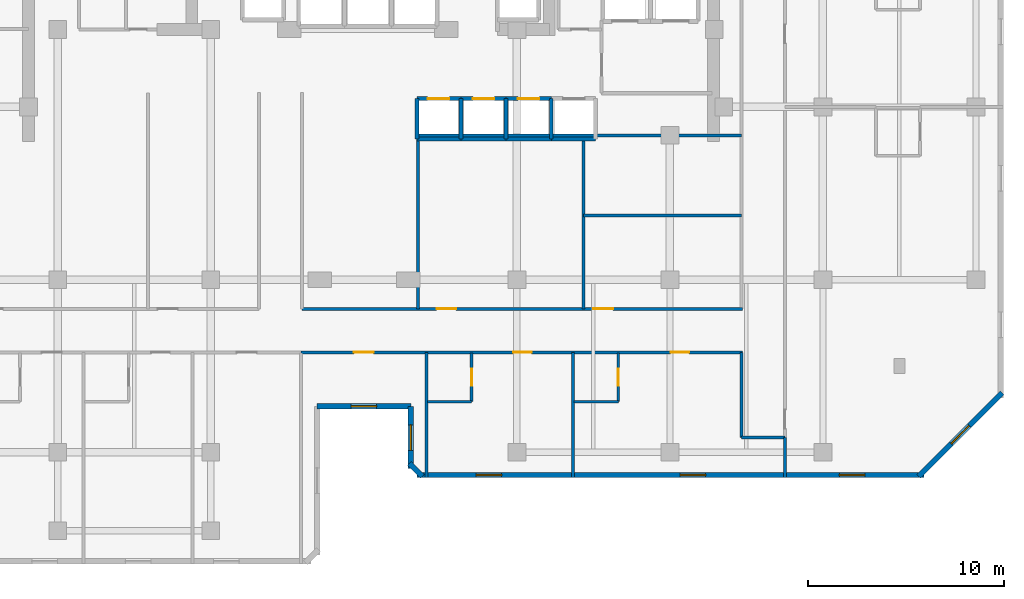
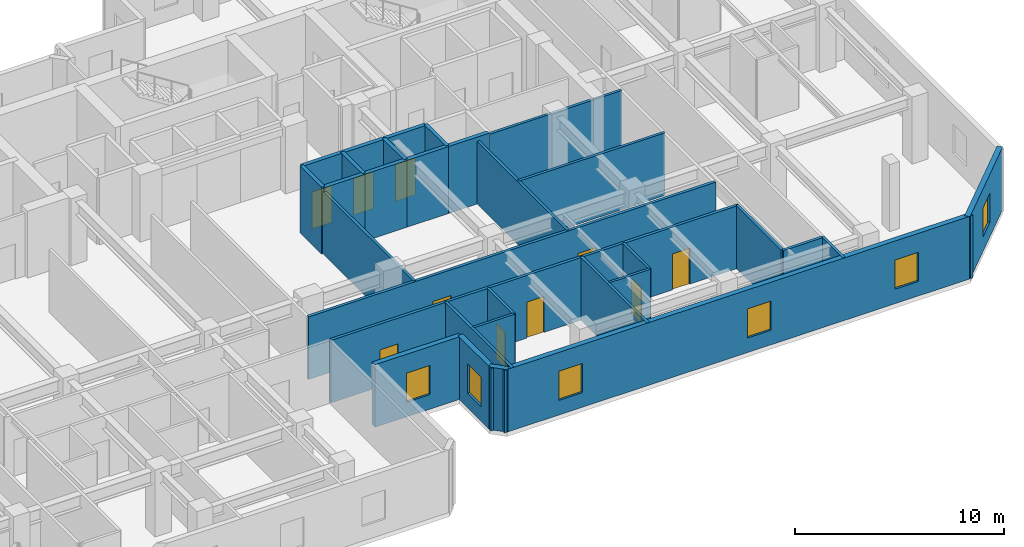
# One storey, part 6 of 10: 31 walls, 10 doors, 6 windows, 16 openings.
"""IFC4 building model written with IfcOpenShell, lengths in metres."""

from ifc_helpers import new_model, si_unit, direction, frame, frame_2d, origin, place, context, subcontext, project, spatial, rectangle, extrude, material, layer, layer_set, type_object, element, fill, save


model = new_model("IFC4")

# Units and contexts
model_context = context("Model", 3, precision=1e-05, world=origin(), true_north=direction((0.0, 1.0)))
body_context = subcontext(model_context, "Body", "Model", "MODEL_VIEW")
ifc_project = project(units=[si_unit("LENGTHUNIT", "METRE"), si_unit("AREAUNIT", "SQUARE_METRE"), si_unit("VOLUMEUNIT", "CUBIC_METRE"), si_unit("PLANEANGLEUNIT", "RADIAN"), si_unit("MASSUNIT", "GRAM", prefix="KILO")], contexts=[model_context])

# Site, building, storey
site_placement = place(None, origin())
site = spatial("IfcSite", under=ifc_project, at=site_placement, CompositionType="ELEMENT")
building_placement = place(site_placement, origin())
building = spatial("IfcBuilding", under=site, at=building_placement, Name="Kestravale Grand Hotel", CompositionType="ELEMENT")
storey_placement = place(building_placement, frame((0.0, 0.0, 216.300048828125)))
storey = spatial("IfcBuildingStorey", under=building, at=storey_placement, Name="L54", CompositionType="ELEMENT", Elevation=216.300048828125)

# Wall, opening, window
ifc_material_1 = material(Name="Precast concrete f'c 45 MPa", Category="concrete")
ifc_layer_1 = layer(ifc_material_1, 0.280029296875)
ifc_layer_set_1 = layer_set([ifc_layer_1], Name="EW-PREC-280")
wall_type_1 = type_object("IfcWallType", Name="EW-PREC-280", PredefinedType="SOLIDWALL", material=ifc_layer_set_1)
wall_1_placement = place(storey_placement, frame((36.610107421875, 13.5400390625, 0.0), z_axis=(0.0, 0.0, 1.0), x_axis=(1.0, 0.0, 0.0)))
wall_1 = element("IfcWall", 1, at=wall_1_placement, inside=storey, type_object=wall_type_1, Name="L54 fluted precast facade wall 4", PredefinedType="SOLIDWALL", context=body_context, shape_type="SweptSolid", body=[
    extrude(rectangle(XDim=4.77978515625, YDim=0.280029296875, at=frame_2d((2.389892578125, 0.0))), origin(), (0.0, 0.0, 1.0), 3.64990234375),
])
opening_1_placement = place(wall_1_placement, frame((1.739990234375, 0.0, 0.85009765625)))
opening_1 = element("IfcOpeningElement", 2, at=opening_1_placement, cuts=wall_1, Name="Opening W-GUEST-1300", PredefinedType="OPENING", context=body_context, shape_type="SweptSolid", body=[
    extrude(rectangle(XDim=1.300048828125, YDim=1.699951171875, at=frame_2d((0.64990234375, 0.85009765625))), frame((0.0, 0.14990234375, 0.0), z_axis=(0.0, -1.0, 0.0), x_axis=(1.0, 0.0, 0.0)), (0.0, 0.0, 1.0), 0.300048828125),
])
ifc_material_2 = material(Name="Insulated low-E double glazing in aluminium frame", Category="aluminium")
window_type = type_object("IfcWindowType", Name="W-GUEST-1300", PartitioningType="SINGLE_PANEL", PredefinedType="WINDOW", material=ifc_material_2)
window_1_placement = place(opening_1_placement, origin())
window_1 = element("IfcWindow", 3, at=window_1_placement, inside=storey, type_object=window_type, Name="L54 exterior window 4.1", OverallHeight=1.699951171875, OverallWidth=1.300048828125, PartitioningType="SINGLE_PANEL", PredefinedType="WINDOW", context=body_context, shape_type="SweptSolid", body=[
    extrude(rectangle(XDim=1.300048828125, YDim=1.699951171875, at=frame_2d((0.64990234375, 0.85009765625))), frame((0.0, 0.030029296875, 0.0), z_axis=(0.0, -1.0, 0.0), x_axis=(1.0, 0.0, 0.0)), (0.0, 0.0, 1.0), 0.06005859375),
])
fill(opening_1, window_1)

wall_2_placement = place(storey_placement, frame((41.389892578125, 13.5400390625, 0.0), z_axis=(0.0, 0.0, 1.0), x_axis=(0.0, -1.0, 0.0)))
wall_2 = element("IfcWall", 4, at=wall_2_placement, inside=storey, type_object=wall_type_1, Name="L54 fluted precast facade wall 5", PredefinedType="SOLIDWALL", context=body_context, shape_type="SweptSolid", body=[
    extrude(rectangle(XDim=3.179931640625, YDim=0.280029296875, at=frame_2d((1.58984375, 0.0))), origin(), (0.0, 0.0, 1.0), 3.64990234375),
])
opening_2_placement = place(wall_2_placement, frame((0.93994140625, 0.0, 0.85009765625)))
opening_2 = element("IfcOpeningElement", 5, at=opening_2_placement, cuts=wall_2, Name="Opening W-GUEST-1300", PredefinedType="OPENING", context=body_context, shape_type="SweptSolid", body=[
    extrude(rectangle(XDim=1.300048828125, YDim=1.699951171875, at=frame_2d((0.64990234375, 0.85009765625))), frame((0.0, 0.14990234375, 0.0), z_axis=(0.0, -1.0, 0.0), x_axis=(1.0, 0.0, 0.0)), (0.0, 0.0, 1.0), 0.300048828125),
])
window_2_placement = place(opening_2_placement, origin())
window_2 = element("IfcWindow", 6, at=window_2_placement, inside=storey, type_object=window_type, Name="L54 exterior window 5.1", OverallHeight=1.699951171875, OverallWidth=1.300048828125, PartitioningType="SINGLE_PANEL", PredefinedType="WINDOW", context=body_context, shape_type="SweptSolid", body=[
    extrude(rectangle(XDim=1.300048828125, YDim=1.699951171875, at=frame_2d((0.64990234375, 0.85009765625))), frame((0.0, 0.030029296875, 0.0), z_axis=(0.0, -1.0, 0.0), x_axis=(1.0, 0.0, 0.0)), (0.0, 0.0, 1.0), 0.06005859375),
])
fill(opening_2, window_2)

# Wall
wall_3_placement = place(storey_placement, frame((41.32080078125, 10.627197265625, 0.0), z_axis=(0.0, 0.0, 1.0), x_axis=(0.707106781187, -0.707106781187, 0.0)))
element("IfcWall", 7, at=wall_3_placement, inside=storey, type_object=wall_type_1, Name="L54 fluted precast facade wall 6", PredefinedType="SOLIDWALL", context=body_context, shape_type="SweptSolid", body=[
    extrude(rectangle(XDim=0.928466796875, YDim=0.280029296875, at=frame_2d((0.46435546875, 0.0))), origin(), (0.0, 0.0, 1.0), 3.64990234375),
])

# Wall, openings, windows
wall_4_placement = place(storey_placement, frame((41.7099609375, 10.0400390625, 0.0), z_axis=(0.0, 0.0, 1.0), x_axis=(1.0, 0.0, 0.0)))
wall_4 = element("IfcWall", 8, at=wall_4_placement, inside=storey, type_object=wall_type_1, Name="L54 fluted precast facade wall 7", PredefinedType="SOLIDWALL", context=body_context, shape_type="SweptSolid", body=[
    extrude(rectangle(XDim=25.830078125, YDim=0.280029296875, at=frame_2d((12.9150390625, 0.0))), origin(), (0.0, 0.0, 1.0), 3.64990234375),
])
opening_3_placement = place(wall_4_placement, frame((3.0048828125, 0.0, 0.85009765625)))
opening_3 = element("IfcOpeningElement", 9, at=opening_3_placement, cuts=wall_4, Name="Opening W-GUEST-1300", PredefinedType="OPENING", context=body_context, shape_type="SweptSolid", body=[
    extrude(rectangle(XDim=1.300048828125, YDim=1.699951171875, at=frame_2d((0.64990234375, 0.85009765625))), frame((0.0, 0.14990234375, 0.0), z_axis=(0.0, -1.0, 0.0), x_axis=(1.0, 0.0, 0.0)), (0.0, 0.0, 1.0), 0.300048828125),
])
opening_4_placement = place(wall_4_placement, frame((13.4150390625, 0.0, 0.85009765625)))
opening_4 = element("IfcOpeningElement", 10, at=opening_4_placement, cuts=wall_4, Name="Opening W-GUEST-1300", PredefinedType="OPENING", context=body_context, shape_type="SweptSolid", body=[
    extrude(rectangle(XDim=1.300048828125, YDim=1.699951171875, at=frame_2d((0.64990234375, 0.85009765625))), frame((0.0, 0.14990234375, 0.0), z_axis=(0.0, -1.0, 0.0), x_axis=(1.0, 0.0, 0.0)), (0.0, 0.0, 1.0), 0.300048828125),
])
opening_5_placement = place(wall_4_placement, frame((21.52490234375, 0.0, 0.85009765625)))
opening_5 = element("IfcOpeningElement", 11, at=opening_5_placement, cuts=wall_4, Name="Opening W-GUEST-1300", PredefinedType="OPENING", context=body_context, shape_type="SweptSolid", body=[
    extrude(rectangle(XDim=1.300048828125, YDim=1.699951171875, at=frame_2d((0.64990234375, 0.85009765625))), frame((0.0, 0.14990234375, 0.0), z_axis=(0.0, -1.0, 0.0), x_axis=(1.0, 0.0, 0.0)), (0.0, 0.0, 1.0), 0.300048828125),
])
window_3_placement = place(opening_3_placement, origin())
window_3 = element("IfcWindow", 12, at=window_3_placement, inside=storey, type_object=window_type, Name="L54 exterior window 7.1", OverallHeight=1.699951171875, OverallWidth=1.300048828125, PartitioningType="SINGLE_PANEL", PredefinedType="WINDOW", context=body_context, shape_type="SweptSolid", body=[
    extrude(rectangle(XDim=1.300048828125, YDim=1.699951171875, at=frame_2d((0.64990234375, 0.85009765625))), frame((0.0, 0.030029296875, 0.0), z_axis=(0.0, -1.0, 0.0), x_axis=(1.0, 0.0, 0.0)), (0.0, 0.0, 1.0), 0.06005859375),
])
fill(opening_3, window_3)
window_4_placement = place(opening_4_placement, origin())
window_4 = element("IfcWindow", 13, at=window_4_placement, inside=storey, type_object=window_type, Name="L54 exterior window 7.2", OverallHeight=1.699951171875, OverallWidth=1.300048828125, PartitioningType="SINGLE_PANEL", PredefinedType="WINDOW", context=body_context, shape_type="SweptSolid", body=[
    extrude(rectangle(XDim=1.300048828125, YDim=1.699951171875, at=frame_2d((0.64990234375, 0.85009765625))), frame((0.0, 0.030029296875, 0.0), z_axis=(0.0, -1.0, 0.0), x_axis=(1.0, 0.0, 0.0)), (0.0, 0.0, 1.0), 0.06005859375),
])
fill(opening_4, window_4)
window_5_placement = place(opening_5_placement, origin())
window_5 = element("IfcWindow", 14, at=window_5_placement, inside=storey, type_object=window_type, Name="L54 exterior window 7.3", OverallHeight=1.699951171875, OverallWidth=1.300048828125, PartitioningType="SINGLE_PANEL", PredefinedType="WINDOW", context=body_context, shape_type="SweptSolid", body=[
    extrude(rectangle(XDim=1.300048828125, YDim=1.699951171875, at=frame_2d((0.64990234375, 0.85009765625))), frame((0.0, 0.030029296875, 0.0), z_axis=(0.0, -1.0, 0.0), x_axis=(1.0, 0.0, 0.0)), (0.0, 0.0, 1.0), 0.06005859375),
])
fill(opening_5, window_5)

# Wall, opening, window
wall_5_placement = place(storey_placement, frame((67.272705078125, 9.970703125, 0.0), z_axis=(0.0, 0.0, 1.0), x_axis=(0.707106781187, 0.707106781187, 0.0)))
wall_5 = element("IfcWall", 15, at=wall_5_placement, inside=storey, type_object=wall_type_1, Name="L54 fluted precast facade wall 8", PredefinedType="SOLIDWALL", context=body_context, shape_type="SweptSolid", body=[
    extrude(rectangle(XDim=6.019775390625, YDim=0.280029296875, at=frame_2d((3.009765625, 0.0))), origin(), (0.0, 0.0, 1.0), 3.64990234375),
])
opening_6_placement = place(wall_5_placement, frame((2.35986328125, 0.0, 0.85009765625)))
opening_6 = element("IfcOpeningElement", 16, at=opening_6_placement, cuts=wall_5, Name="Opening W-GUEST-1300", PredefinedType="OPENING", context=body_context, shape_type="SweptSolid", body=[
    extrude(rectangle(XDim=1.300048828125, YDim=1.699951171875, at=frame_2d((0.64990234375, 0.85009765625))), frame((0.0, 0.14990234375, 0.0), z_axis=(0.0, -1.0, 0.0), x_axis=(1.0, 0.0, 0.0)), (0.0, 0.0, 1.0), 0.300048828125),
])
window_6_placement = place(opening_6_placement, origin())
window_6 = element("IfcWindow", 17, at=window_6_placement, inside=storey, type_object=window_type, Name="L54 exterior window 8.1", OverallHeight=1.699951171875, OverallWidth=1.300048828125, PartitioningType="SINGLE_PANEL", PredefinedType="WINDOW", context=body_context, shape_type="SweptSolid", body=[
    extrude(rectangle(XDim=1.300048828125, YDim=1.699951171875, at=frame_2d((0.64990234375, 0.85009765625))), frame((0.0, 0.030029296875, 0.0), z_axis=(0.0, -1.0, 0.0), x_axis=(1.0, 0.0, 0.0)), (0.0, 0.0, 1.0), 0.06005859375),
])
fill(opening_6, window_6)

# Wall, openings, doors
ifc_material_3 = material(Name="Acoustic fire-rated gypsum board partition", Category="other")
ifc_layer_2 = layer(ifc_material_3, 0.159912109375)
ifc_layer_set_2 = layer_set([ifc_layer_2], Name="IW-CORR-160")
wall_type_2 = type_object("IfcWallType", Name="IW-CORR-160", PredefinedType="PARTITIONING", material=ifc_layer_set_2)
wall_6_placement = place(storey_placement, frame((35.85009765625, 18.510009765625, 0.0), z_axis=(0.0, 0.0, 1.0), x_axis=(1.0, 0.0, 0.0)))
wall_6 = element("IfcWall", 18, at=wall_6_placement, inside=storey, type_object=wall_type_2, Name="W-L54-CE-N", PredefinedType="PARTITIONING", context=body_context, shape_type="SweptSolid", body=[
    extrude(rectangle(XDim=22.449951171875, YDim=0.159912109375, at=frame_2d((11.22509765625, 0.0))), origin(), (0.0, 0.0, 1.0), 3.64990234375),
])
opening_7_placement = place(wall_6_placement, frame((6.85009765625, 0.0, 0.0)))
opening_7 = element("IfcOpeningElement", 19, at=opening_7_placement, cuts=wall_6, Name="Opening D-GUEST-1000", PredefinedType="OPENING", context=body_context, shape_type="SweptSolid", body=[
    extrude(rectangle(XDim=1.0, YDim=2.14990234375, at=frame_2d((0.5, 1.074951171875))), frame((0.0, 0.08984375, 0.0), z_axis=(0.0, -1.0, 0.0), x_axis=(1.0, 0.0, 0.0)), (0.0, 0.0, 1.0), 0.179931640625),
])
opening_8_placement = place(wall_6_placement, frame((14.85009765625, 0.0, 0.0)))
opening_8 = element("IfcOpeningElement", 20, at=opening_8_placement, cuts=wall_6, Name="Opening D-GUEST-1000", PredefinedType="OPENING", context=body_context, shape_type="SweptSolid", body=[
    extrude(rectangle(XDim=1.0, YDim=2.14990234375, at=frame_2d((0.5, 1.074951171875))), frame((0.0, 0.08984375, 0.0), z_axis=(0.0, -1.0, 0.0), x_axis=(1.0, 0.0, 0.0)), (0.0, 0.0, 1.0), 0.179931640625),
])
ifc_material_4 = material(Name="Accessible walnut veneer hotel entrance fire door", Category="wood")
door_type_1 = type_object("IfcDoorType", Name="D-GUEST-1000", OperationType="NOTDEFINED", PredefinedType="DOOR", material=ifc_material_4)
door_1_placement = place(opening_7_placement, origin())
door_1 = element("IfcDoor", 21, at=door_1_placement, inside=storey, type_object=door_type_1, Name="D-L54-RECL-E1", OperationType="SINGLE_SWING_LEFT", OverallHeight=2.14990234375, OverallWidth=1.0, PredefinedType="DOOR", context=body_context, shape_type="SweptSolid", body=[
    extrude(rectangle(XDim=1.0, YDim=2.14990234375, at=frame_2d((0.5, 1.074951171875))), frame((0.0, 0.02490234375, 0.0), z_axis=(0.0, -1.0, 0.0), x_axis=(1.0, 0.0, 0.0)), (0.0, 0.0, 1.0), 0.050048828125),
])
fill(opening_7, door_1)
door_2_placement = place(opening_8_placement, origin())
door_2 = element("IfcDoor", 22, at=door_2_placement, inside=storey, type_object=door_type_1, Name="D-L54-RECL-E2", OperationType="SINGLE_SWING_RIGHT", OverallHeight=2.14990234375, OverallWidth=1.0, PredefinedType="DOOR", context=body_context, shape_type="SweptSolid", body=[
    extrude(rectangle(XDim=1.0, YDim=2.14990234375, at=frame_2d((0.5, 1.074951171875))), frame((0.0, 0.02490234375, 0.0), z_axis=(0.0, -1.0, 0.0), x_axis=(1.0, 0.0, 0.0)), (0.0, 0.0, 1.0), 0.050048828125),
])
fill(opening_8, door_2)

wall_7_placement = place(storey_placement, frame((35.800048828125, 16.2900390625, 0.0), z_axis=(0.0, 0.0, 1.0), x_axis=(1.0, 0.0, 0.0)))
wall_7 = element("IfcWall", 23, at=wall_7_placement, inside=storey, type_object=wall_type_2, Name="W-L54-CE-S", PredefinedType="PARTITIONING", context=body_context, shape_type="SweptSolid", body=[
    extrude(rectangle(XDim=22.5, YDim=0.159912109375, at=frame_2d((11.25, 0.0))), origin(), (0.0, 0.0, 1.0), 3.64990234375),
])
opening_9_placement = place(wall_7_placement, frame((2.68994140625, 0.0, 0.0)))
opening_9 = element("IfcOpeningElement", 24, at=opening_9_placement, cuts=wall_7, Name="Opening D-GUEST-1000", PredefinedType="OPENING", context=body_context, shape_type="SweptSolid", body=[
    extrude(rectangle(XDim=1.0, YDim=2.14990234375, at=frame_2d((0.5, 1.074951171875))), frame((0.0, 0.08984375, 0.0), z_axis=(0.0, -1.0, 0.0), x_axis=(1.0, 0.0, 0.0)), (0.0, 0.0, 1.0), 0.179931640625),
])
opening_10_placement = place(wall_7_placement, frame((10.800048828125, 0.0, 0.0)))
opening_10 = element("IfcOpeningElement", 25, at=opening_10_placement, cuts=wall_7, Name="Opening D-GUEST-950", PredefinedType="OPENING", context=body_context, shape_type="SweptSolid", body=[
    extrude(rectangle(XDim=0.949951171875, YDim=2.10009765625, at=frame_2d((0.47509765625, 1.050048828125))), frame((0.0, 0.08984375, 0.0), z_axis=(0.0, -1.0, 0.0), x_axis=(1.0, 0.0, 0.0)), (0.0, 0.0, 1.0), 0.179931640625),
])
opening_11_placement = place(wall_7_placement, frame((18.830078125, 0.0, 0.0)))
opening_11 = element("IfcOpeningElement", 26, at=opening_11_placement, cuts=wall_7, Name="Opening D-GUEST-950", PredefinedType="OPENING", context=body_context, shape_type="SweptSolid", body=[
    extrude(rectangle(XDim=0.949951171875, YDim=2.10009765625, at=frame_2d((0.47509765625, 1.050048828125))), frame((0.0, 0.08984375, 0.0), z_axis=(0.0, -1.0, 0.0), x_axis=(1.0, 0.0, 0.0)), (0.0, 0.0, 1.0), 0.179931640625),
])
door_3_placement = place(opening_9_placement, origin())
door_3 = element("IfcDoor", 27, at=door_3_placement, inside=storey, type_object=door_type_1, Name="D-L54-AME", OperationType="SINGLE_SWING_RIGHT", OverallHeight=2.14990234375, OverallWidth=1.0, PredefinedType="DOOR", context=body_context, shape_type="SweptSolid", body=[
    extrude(rectangle(XDim=1.0, YDim=2.14990234375, at=frame_2d((0.5, 1.074951171875))), frame((0.0, 0.02490234375, 0.0), z_axis=(0.0, -1.0, 0.0), x_axis=(1.0, 0.0, 0.0)), (0.0, 0.0, 1.0), 0.050048828125),
])
fill(opening_9, door_3)
ifc_material_5 = material(Name="Walnut veneer hotel guestroom entrance fire door", Category="wood")
door_type_2 = type_object("IfcDoorType", Name="D-GUEST-950", OperationType="NOTDEFINED", PredefinedType="DOOR", material=ifc_material_5)
door_4_placement = place(opening_10_placement, origin())
door_4 = element("IfcDoor", 28, at=door_4_placement, inside=storey, type_object=door_type_2, Name="D-L54-U03-ENT", OperationType="SINGLE_SWING_RIGHT", OverallHeight=2.10009765625, OverallWidth=0.949951171875, PredefinedType="DOOR", context=body_context, shape_type="SweptSolid", body=[
    extrude(rectangle(XDim=0.949951171875, YDim=2.10009765625, at=frame_2d((0.47509765625, 1.050048828125))), frame((0.0, 0.02490234375, 0.0), z_axis=(0.0, -1.0, 0.0), x_axis=(1.0, 0.0, 0.0)), (0.0, 0.0, 1.0), 0.050048828125),
])
fill(opening_10, door_4)
door_5_placement = place(opening_11_placement, origin())
door_5 = element("IfcDoor", 29, at=door_5_placement, inside=storey, type_object=door_type_2, Name="D-L54-U04-ENT", OperationType="SINGLE_SWING_RIGHT", OverallHeight=2.10009765625, OverallWidth=0.949951171875, PredefinedType="DOOR", context=body_context, shape_type="SweptSolid", body=[
    extrude(rectangle(XDim=0.949951171875, YDim=2.10009765625, at=frame_2d((0.47509765625, 1.050048828125))), frame((0.0, 0.02490234375, 0.0), z_axis=(0.0, -1.0, 0.0), x_axis=(1.0, 0.0, 0.0)), (0.0, 0.0, 1.0), 0.050048828125),
])
fill(opening_11, door_5)

# Wall
wall_8_placement = place(storey_placement, frame((58.239990234375, 11.949951171875, 0.0), z_axis=(0.0, 0.0, 1.0), x_axis=(0.0, 1.0, 0.0)))
element("IfcWall", 30, at=wall_8_placement, inside=storey, type_object=wall_type_2, Name="W-L54-SE-W", PredefinedType="PARTITIONING", context=body_context, shape_type="SweptSolid", body=[
    extrude(rectangle(XDim=4.340087890625, YDim=0.159912109375, at=frame_2d((2.169921875, 0.0))), origin(), (0.0, 0.0, 1.0), 3.64990234375),
])

# Wall, opening, door
ifc_material_6 = material(Name="Moisture-resistant tile-backer plumbing chase wall", Category="other")
ifc_layer_3 = layer(ifc_material_6, 0.139892578125)
ifc_layer_set_3 = layer_set([ifc_layer_3], Name="IW-PLB-140")
wall_type_3 = type_object("IfcWallType", Name="IW-PLB-140", PredefinedType="PLUMBINGWALL", material=ifc_layer_set_3)
wall_9_placement = place(storey_placement, frame((44.489990234375, 13.780029296875, 0.0), z_axis=(0.0, 0.0, 1.0), x_axis=(0.0, 1.0, 0.0)))
wall_9 = element("IfcWall", 31, at=wall_9_placement, inside=storey, type_object=wall_type_3, Name="W-L54-U03-BE", PredefinedType="PLUMBINGWALL", context=body_context, shape_type="SweptSolid", body=[
    extrude(rectangle(XDim=2.489990234375, YDim=0.139892578125, at=frame_2d((1.2451171875, 0.0))), origin(), (0.0, 0.0, 1.0), 3.64990234375),
])
opening_12_placement = place(wall_9_placement, frame((0.804931640625, 0.0, 0.0)))
opening_12 = element("IfcOpeningElement", 32, at=opening_12_placement, cuts=wall_9, Name="Opening D-BATH-880", PredefinedType="OPENING", context=body_context, shape_type="SweptSolid", body=[
    extrude(rectangle(XDim=0.8798828125, YDim=2.050048828125, at=frame_2d((0.43994140625, 1.02490234375))), frame((0.0, 0.079833984375, 0.0), z_axis=(0.0, -1.0, 0.0), x_axis=(1.0, 0.0, 0.0)), (0.0, 0.0, 1.0), 0.159912109375),
])
ifc_material_7 = material(Name="Moisture-sealed walnut en-suite bathroom door", Category="wood")
door_type_3 = type_object("IfcDoorType", Name="D-BATH-880", OperationType="NOTDEFINED", PredefinedType="DOOR", material=ifc_material_7)
door_6_placement = place(opening_12_placement, origin())
door_6 = element("IfcDoor", 33, at=door_6_placement, inside=storey, type_object=door_type_3, Name="D-L54-U03-BATH", OperationType="SINGLE_SWING_LEFT", OverallHeight=2.050048828125, OverallWidth=0.8798828125, PredefinedType="DOOR", context=body_context, shape_type="SweptSolid", body=[
    extrude(rectangle(XDim=0.8798828125, YDim=2.050048828125, at=frame_2d((0.43994140625, 1.02490234375))), frame((0.0, 0.02490234375, 0.0), z_axis=(0.0, -1.0, 0.0), x_axis=(1.0, 0.0, 0.0)), (0.0, 0.0, 1.0), 0.050048828125),
])
fill(opening_12, door_6)

# Wall
wall_10_placement = place(storey_placement, frame((42.239990234375, 13.780029296875, 0.0), z_axis=(0.0, 0.0, 1.0), x_axis=(1.0, 0.0, 0.0)))
element("IfcWall", 34, at=wall_10_placement, inside=storey, type_object=wall_type_3, Name="W-L54-U03-BS", PredefinedType="PLUMBINGWALL", context=body_context, shape_type="SweptSolid", body=[
    extrude(rectangle(XDim=2.25, YDim=0.139892578125, at=frame_2d((1.125, 0.0))), origin(), (0.0, 0.0, 1.0), 3.64990234375),
])

# Wall, opening, door
wall_11_placement = place(storey_placement, frame((51.969970703125, 13.780029296875, 0.0), z_axis=(0.0, 0.0, 1.0), x_axis=(0.0, 1.0, 0.0)))
wall_11 = element("IfcWall", 35, at=wall_11_placement, inside=storey, type_object=wall_type_3, Name="W-L54-U04-BE", PredefinedType="PLUMBINGWALL", context=body_context, shape_type="SweptSolid", body=[
    extrude(rectangle(XDim=2.489990234375, YDim=0.139892578125, at=frame_2d((1.2451171875, 0.0))), origin(), (0.0, 0.0, 1.0), 3.64990234375),
])
opening_13_placement = place(wall_11_placement, frame((0.804931640625, 0.0, 0.0)))
opening_13 = element("IfcOpeningElement", 36, at=opening_13_placement, cuts=wall_11, Name="Opening D-BATH-880", PredefinedType="OPENING", context=body_context, shape_type="SweptSolid", body=[
    extrude(rectangle(XDim=0.8798828125, YDim=2.050048828125, at=frame_2d((0.43994140625, 1.02490234375))), frame((0.0, 0.079833984375, 0.0), z_axis=(0.0, -1.0, 0.0), x_axis=(1.0, 0.0, 0.0)), (0.0, 0.0, 1.0), 0.159912109375),
])
door_7_placement = place(opening_13_placement, origin())
door_7 = element("IfcDoor", 37, at=door_7_placement, inside=storey, type_object=door_type_3, Name="D-L54-U04-BATH", OperationType="SINGLE_SWING_LEFT", OverallHeight=2.050048828125, OverallWidth=0.8798828125, PredefinedType="DOOR", context=body_context, shape_type="SweptSolid", body=[
    extrude(rectangle(XDim=0.8798828125, YDim=2.050048828125, at=frame_2d((0.43994140625, 1.02490234375))), frame((0.0, 0.02490234375, 0.0), z_axis=(0.0, -1.0, 0.0), x_axis=(1.0, 0.0, 0.0)), (0.0, 0.0, 1.0), 0.050048828125),
])
fill(opening_13, door_7)

# Walls
wall_12_placement = place(storey_placement, frame((49.719970703125, 13.780029296875, 0.0), z_axis=(0.0, 0.0, 1.0), x_axis=(1.0, 0.0, 0.0)))
element("IfcWall", 38, at=wall_12_placement, inside=storey, type_object=wall_type_3, Name="W-L54-U04-BS", PredefinedType="PLUMBINGWALL", context=body_context, shape_type="SweptSolid", body=[
    extrude(rectangle(XDim=2.25, YDim=0.139892578125, at=frame_2d((1.125, 0.0))), origin(), (0.0, 0.0, 1.0), 3.64990234375),
])
ifc_material_8 = material(Name="Concrete f'c 45 MPa", Category="concrete")
ifc_layer_4 = layer(ifc_material_8, 0.199951171875)
ifc_layer_set_4 = layer_set([ifc_layer_4], Name="IW-SHAFT-200")
wall_type_4 = type_object("IfcWallType", Name="IW-SHAFT-200", PredefinedType="SHEAR", material=ifc_layer_set_4)
for number, where, z_axis, x_axis, name in (
    (39, (41.705078125, 27.169921875, 0.0), (0.0, 0.0, 1.0), (0.0, 1.0, 0.0), "L54 PL-M1 west shaft wall"),
    (40, (43.949951171875, 27.169921875, 0.0), (0.0, 0.0, 1.0), (0.0, 1.0, 0.0), "L54 PL-M2 west shaft wall"),
    (41, (46.25, 27.169921875, 0.0), (0.0, 0.0, 1.0), (0.0, 1.0, 0.0), "L54 PL-M3 west shaft wall"),
    (42, (48.550048828125, 27.169921875, 0.0), (0.0, 0.0, 1.0), (0.0, 1.0, 0.0), "L54 PL-M4 west shaft wall"),
):
    element("IfcWall", number, at=place(storey_placement, frame(where, z_axis=z_axis, x_axis=x_axis)), inside=storey, type_object=wall_type_4, Name=name, PredefinedType="SHEAR", context=body_context, shape_type="SweptSolid", body=[
        extrude(rectangle(XDim=2.06005859375, YDim=0.199951171875, at=frame_2d((1.030029296875, 0.0))), origin(), (0.0, 0.0, 1.0), 3.89990234375),
    ])

# Wall, opening, door
ifc_material_9 = material(Name="Concrete f'c 45 MPa", Category="concrete")
ifc_layer_5 = layer(ifc_material_9, 0.219970703125)
ifc_layer_set_5 = layer_set([ifc_layer_5], Name="IW-SHAFT-220")
wall_type_5 = type_object("IfcWallType", Name="IW-SHAFT-220", PredefinedType="SHEAR", material=ifc_layer_set_5)
wall_13_placement = place(storey_placement, frame((41.705078125, 29.22998046875, 0.0), z_axis=(0.0, 0.0, 1.0), x_axis=(1.0, 0.0, 0.0)))
wall_13 = element("IfcWall", 43, at=wall_13_placement, inside=storey, type_object=wall_type_5, Name="L54 PL-M1 north shaft wall", PredefinedType="SHEAR", context=body_context, shape_type="SweptSolid", body=[
    extrude(rectangle(XDim=2.244873046875, YDim=0.219970703125, at=frame_2d((1.12255859375, 0.0))), origin(), (0.0, 0.0, 1.0), 3.89990234375),
])
opening_14_placement = place(wall_13_placement, frame((0.544921875, 0.0, 0.0)))
opening_14 = element("IfcOpeningElement", 44, at=opening_14_placement, cuts=wall_13, Name="Opening LD-PAX-1100", PredefinedType="OPENING", context=body_context, shape_type="SweptSolid", body=[
    extrude(rectangle(XDim=1.10009765625, YDim=2.14990234375, at=frame_2d((0.550048828125, 1.074951171875))), frame((0.0, 0.119873046875, 0.0), z_axis=(0.0, -1.0, 0.0), x_axis=(1.0, 0.0, 0.0)), (0.0, 0.0, 1.0), 0.239990234375),
])
ifc_material_10 = material(Name="Champagne-bronze center-opening sliding elevator landing door", Category="steel")
door_type_4 = type_object("IfcDoorType", Name="LD-PAX-1100", OperationType="NOTDEFINED", PredefinedType="DOOR", material=ifc_material_10)
door_8_placement = place(opening_14_placement, origin())
door_8 = element("IfcDoor", 45, at=door_8_placement, inside=storey, type_object=door_type_4, Name="L54 PL-M1 elevator landing sliding door", OperationType="DOUBLE_DOOR_SLIDING", OverallHeight=2.14990234375, OverallWidth=1.10009765625, PredefinedType="DOOR", context=body_context, shape_type="SweptSolid", body=[
    extrude(rectangle(XDim=1.10009765625, YDim=2.14990234375, at=frame_2d((0.550048828125, 1.074951171875))), frame((0.0, 0.02490234375, 0.0), z_axis=(0.0, -1.0, 0.0), x_axis=(1.0, 0.0, 0.0)), (0.0, 0.0, 1.0), 0.050048828125),
])
fill(opening_14, door_8)

# Wall
wall_14_placement = place(storey_placement, frame((41.705078125, 27.169921875, 0.0), z_axis=(0.0, 0.0, 1.0), x_axis=(1.0, 0.0, 0.0)))
element("IfcWall", 46, at=wall_14_placement, inside=storey, type_object=wall_type_5, Name="L54 PL-M1 south shaft wall", PredefinedType="SHEAR", context=body_context, shape_type="SweptSolid", body=[
    extrude(rectangle(XDim=2.244873046875, YDim=0.219970703125, at=frame_2d((1.12255859375, 0.0))), origin(), (0.0, 0.0, 1.0), 3.89990234375),
])

# Wall, opening, door
wall_15_placement = place(storey_placement, frame((43.949951171875, 29.22998046875, 0.0), z_axis=(0.0, 0.0, 1.0), x_axis=(1.0, 0.0, 0.0)))
wall_15 = element("IfcWall", 47, at=wall_15_placement, inside=storey, type_object=wall_type_5, Name="L54 PL-M2 north shaft wall", PredefinedType="SHEAR", context=body_context, shape_type="SweptSolid", body=[
    extrude(rectangle(XDim=2.300048828125, YDim=0.219970703125, at=frame_2d((1.14990234375, 0.0))), origin(), (0.0, 0.0, 1.0), 3.89990234375),
])
opening_15_placement = place(wall_15_placement, frame((0.60009765625, 0.0, 0.0)))
opening_15 = element("IfcOpeningElement", 48, at=opening_15_placement, cuts=wall_15, Name="Opening LD-PAX-1100", PredefinedType="OPENING", context=body_context, shape_type="SweptSolid", body=[
    extrude(rectangle(XDim=1.10009765625, YDim=2.14990234375, at=frame_2d((0.550048828125, 1.074951171875))), frame((0.0, 0.119873046875, 0.0), z_axis=(0.0, -1.0, 0.0), x_axis=(1.0, 0.0, 0.0)), (0.0, 0.0, 1.0), 0.239990234375),
])
door_9_placement = place(opening_15_placement, origin())
door_9 = element("IfcDoor", 49, at=door_9_placement, inside=storey, type_object=door_type_4, Name="L54 PL-M2 elevator landing sliding door", OperationType="DOUBLE_DOOR_SLIDING", OverallHeight=2.14990234375, OverallWidth=1.10009765625, PredefinedType="DOOR", context=body_context, shape_type="SweptSolid", body=[
    extrude(rectangle(XDim=1.10009765625, YDim=2.14990234375, at=frame_2d((0.550048828125, 1.074951171875))), frame((0.0, 0.02490234375, 0.0), z_axis=(0.0, -1.0, 0.0), x_axis=(1.0, 0.0, 0.0)), (0.0, 0.0, 1.0), 0.050048828125),
])
fill(opening_15, door_9)

# Wall
wall_16_placement = place(storey_placement, frame((43.949951171875, 27.169921875, 0.0), z_axis=(0.0, 0.0, 1.0), x_axis=(1.0, 0.0, 0.0)))
element("IfcWall", 50, at=wall_16_placement, inside=storey, type_object=wall_type_5, Name="L54 PL-M2 south shaft wall", PredefinedType="SHEAR", context=body_context, shape_type="SweptSolid", body=[
    extrude(rectangle(XDim=2.300048828125, YDim=0.219970703125, at=frame_2d((1.14990234375, 0.0))), origin(), (0.0, 0.0, 1.0), 3.89990234375),
])

# Wall, opening, door
wall_17_placement = place(storey_placement, frame((46.25, 29.22998046875, 0.0), z_axis=(0.0, 0.0, 1.0), x_axis=(1.0, 0.0, 0.0)))
wall_17 = element("IfcWall", 51, at=wall_17_placement, inside=storey, type_object=wall_type_5, Name="L54 PL-M3 north shaft wall", PredefinedType="SHEAR", context=body_context, shape_type="SweptSolid", body=[
    extrude(rectangle(XDim=2.300048828125, YDim=0.219970703125, at=frame_2d((1.14990234375, 0.0))), origin(), (0.0, 0.0, 1.0), 3.89990234375),
])
opening_16_placement = place(wall_17_placement, frame((0.60009765625, 0.0, 0.0)))
opening_16 = element("IfcOpeningElement", 52, at=opening_16_placement, cuts=wall_17, Name="Opening LD-PAX-1100", PredefinedType="OPENING", context=body_context, shape_type="SweptSolid", body=[
    extrude(rectangle(XDim=1.10009765625, YDim=2.14990234375, at=frame_2d((0.550048828125, 1.074951171875))), frame((0.0, 0.119873046875, 0.0), z_axis=(0.0, -1.0, 0.0), x_axis=(1.0, 0.0, 0.0)), (0.0, 0.0, 1.0), 0.239990234375),
])
door_10_placement = place(opening_16_placement, origin())
door_10 = element("IfcDoor", 53, at=door_10_placement, inside=storey, type_object=door_type_4, Name="L54 PL-M3 elevator landing sliding door", OperationType="DOUBLE_DOOR_SLIDING", OverallHeight=2.14990234375, OverallWidth=1.10009765625, PredefinedType="DOOR", context=body_context, shape_type="SweptSolid", body=[
    extrude(rectangle(XDim=1.10009765625, YDim=2.14990234375, at=frame_2d((0.550048828125, 1.074951171875))), frame((0.0, 0.02490234375, 0.0), z_axis=(0.0, -1.0, 0.0), x_axis=(1.0, 0.0, 0.0)), (0.0, 0.0, 1.0), 0.050048828125),
])
fill(opening_16, door_10)

# Walls
wall_18_placement = place(storey_placement, frame((46.25, 27.169921875, 0.0), z_axis=(0.0, 0.0, 1.0), x_axis=(1.0, 0.0, 0.0)))
element("IfcWall", 54, at=wall_18_placement, inside=storey, type_object=wall_type_5, Name="L54 PL-M3 south shaft wall", PredefinedType="SHEAR", context=body_context, shape_type="SweptSolid", body=[
    extrude(rectangle(XDim=2.300048828125, YDim=0.219970703125, at=frame_2d((1.14990234375, 0.0))), origin(), (0.0, 0.0, 1.0), 3.89990234375),
])
wall_19_placement = place(storey_placement, frame((48.550048828125, 27.169921875, 0.0), z_axis=(0.0, 0.0, 1.0), x_axis=(1.0, 0.0, 0.0)))
element("IfcWall", 55, at=wall_19_placement, inside=storey, type_object=wall_type_5, Name="L54 PL-M4 south shaft wall", PredefinedType="SHEAR", context=body_context, shape_type="SweptSolid", body=[
    extrude(rectangle(XDim=2.244873046875, YDim=0.219970703125, at=frame_2d((1.12255859375, 0.0))), origin(), (0.0, 0.0, 1.0), 3.89990234375),
])
ifc_material_11 = material(Name="Double-stud STC 52 acoustic demising partition", Category="other")
ifc_layer_6 = layer(ifc_material_11, 0.14990234375)
ifc_layer_set_6 = layer_set([ifc_layer_6], Name="IW-UNIT-150")
wall_type_6 = type_object("IfcWallType", Name="IW-UNIT-150", PredefinedType="PARTITIONING", material=ifc_layer_set_6)
wall_20_placement = place(storey_placement, frame((58.239990234375, 11.949951171875, 0.0), z_axis=(0.0, 0.0, 1.0), x_axis=(1.0, 0.0, 0.0)))
element("IfcWall", 56, at=wall_20_placement, inside=storey, type_object=wall_type_6, Name="W-L54-SE-S", PredefinedType="PARTITIONING", context=body_context, shape_type="SweptSolid", body=[
    extrude(rectangle(XDim=2.219970703125, YDim=0.14990234375, at=frame_2d((1.10986328125, 0.0))), origin(), (0.0, 0.0, 1.0), 3.64990234375),
])
wall_21_placement = place(storey_placement, frame((41.75, 18.510009765625, 0.0), z_axis=(0.0, 0.0, 1.0), x_axis=(0.0, 1.0, 0.0)))
element("IfcWall", 57, at=wall_21_placement, inside=storey, type_object=wall_type_6, Name="W-L54-RCLE-W", PredefinedType="PARTITIONING", context=body_context, shape_type="SweptSolid", body=[
    extrude(rectangle(XDim=8.659912109375, YDim=0.14990234375, at=frame_2d((4.330078125, 0.0))), origin(), (0.0, 0.0, 1.0), 3.64990234375),
])
wall_22_placement = place(storey_placement, frame((50.199951171875, 18.510009765625, 0.0), z_axis=(0.0, 0.0, 1.0), x_axis=(0.0, 1.0, 0.0)))
element("IfcWall", 58, at=wall_22_placement, inside=storey, type_object=wall_type_6, Name="W-L54-RCLE-M", PredefinedType="PARTITIONING", context=body_context, shape_type="SweptSolid", body=[
    extrude(rectangle(XDim=8.639892578125, YDim=0.14990234375, at=frame_2d((4.31982421875, 0.0))), origin(), (0.0, 0.0, 1.0), 3.64990234375),
])
wall_23_placement = place(storey_placement, frame((41.75, 27.35009765625, 0.0), z_axis=(0.0, 0.0, 1.0), x_axis=(1.0, 0.0, 0.0)))
element("IfcWall", 59, at=wall_23_placement, inside=storey, type_object=wall_type_6, Name="W-L54-RCLE-N", PredefinedType="PARTITIONING", context=body_context, shape_type="SweptSolid", body=[
    extrude(rectangle(XDim=16.489990234375, YDim=0.14990234375, at=frame_2d((8.2451171875, 0.0))), origin(), (0.0, 0.0, 1.0), 3.64990234375),
])
wall_24_placement = place(storey_placement, frame((50.199951171875, 23.27001953125, 0.0), z_axis=(0.0, 0.0, 1.0), x_axis=(1.0, 0.0, 0.0)))
element("IfcWall", 60, at=wall_24_placement, inside=storey, type_object=wall_type_6, Name="W-L54-RCLE-H", PredefinedType="PARTITIONING", context=body_context, shape_type="SweptSolid", body=[
    extrude(rectangle(XDim=8.0400390625, YDim=0.14990234375, at=frame_2d((4.02001953125, 0.0))), origin(), (0.0, 0.0, 1.0), 3.64990234375),
])
for number, where, z_axis, x_axis, name in (
    (61, (42.179931640625, 9.919921875, 0.0), (0.0, 0.0, 1.0), (0.0, 1.0, 0.0), "W-L54-ES-1"),
    (62, (49.659912109375, 9.919921875, 0.0), (0.0, 0.0, 1.0), (0.0, 1.0, 0.0), "W-L54-ES-2"),
):
    element("IfcWall", number, at=place(storey_placement, frame(where, z_axis=z_axis, x_axis=x_axis)), inside=storey, type_object=wall_type_6, Name=name, PredefinedType="PARTITIONING", context=body_context, shape_type="SweptSolid", body=[
        extrude(rectangle(XDim=6.3701171875, YDim=0.14990234375, at=frame_2d((3.18505859375, 0.0))), origin(), (0.0, 0.0, 1.0), 3.64990234375),
    ])
wall_25_placement = place(storey_placement, frame((60.4599609375, 9.919921875, 0.0), z_axis=(0.0, 0.0, 1.0), x_axis=(0.0, 1.0, 0.0)))
element("IfcWall", 63, at=wall_25_placement, inside=storey, type_object=wall_type_6, Name="W-L54-SE-EXT", PredefinedType="PARTITIONING", context=body_context, shape_type="SweptSolid", body=[
    extrude(rectangle(XDim=2.030029296875, YDim=0.14990234375, at=frame_2d((1.01513671875, 0.0))), origin(), (0.0, 0.0, 1.0), 3.64990234375),
])

save(model, "model.ifc")
